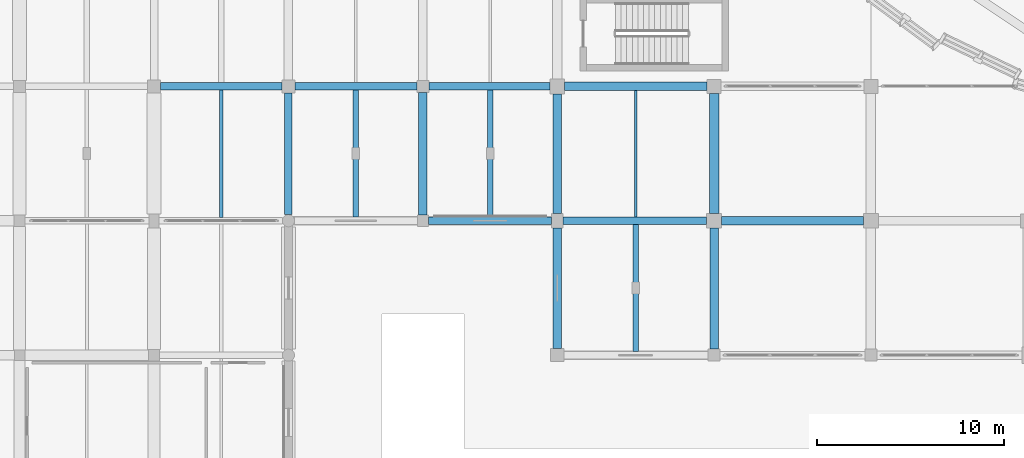
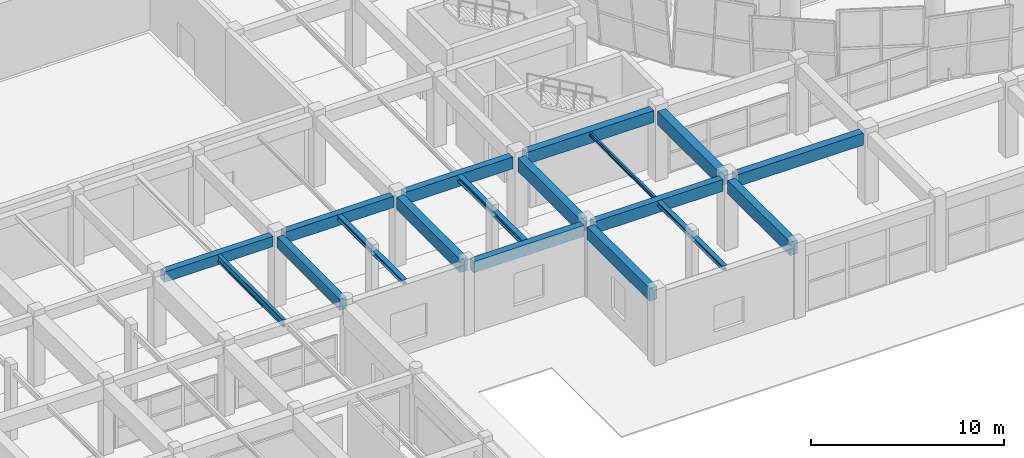
# One storey, part 10 of 72: 18 beams.
"""IFC4 building model written with IfcOpenShell, lengths in metres."""

from ifc_helpers import new_model, si_unit, direction, frame, origin, origin_2d, place, context, subcontext, project, spatial, rectangle, i_section, extrude, material, material_profile, profile_set, type_object, element, save


model = new_model("IFC4")

# Units and contexts
model_context = context("Model", 3, precision=1e-05, world=origin(), true_north=direction((0.0, 1.0)))
body_context = subcontext(model_context, "Body", "Model", "MODEL_VIEW")
ifc_project = project(units=[si_unit("LENGTHUNIT", "METRE"), si_unit("AREAUNIT", "SQUARE_METRE"), si_unit("VOLUMEUNIT", "CUBIC_METRE"), si_unit("PLANEANGLEUNIT", "RADIAN"), si_unit("MASSUNIT", "GRAM", prefix="KILO")], contexts=[model_context])

# Site, building, storey
site_placement = place(None, origin())
site = spatial("IfcSite", under=ifc_project, at=site_placement, CompositionType="ELEMENT")
building_placement = place(site_placement, origin())
building = spatial("IfcBuilding", under=site, at=building_placement, Name="Korsvaeld Concert Hall", CompositionType="ELEMENT")
storey_placement = place(building_placement, origin())
storey = spatial("IfcBuildingStorey", under=building, at=storey_placement, Name="L00", CompositionType="ELEMENT", Elevation=0.0)

# Beams
ifc_material_1 = material(Name="Concrete C35/45", Category="concrete")
ifc_material_profile_1 = material_profile(ifc_material_1, rectangle(XDim=0.39990234375, YDim=0.64990234375, at=origin_2d()), Name="RC 400x650")
ifc_profile_set_1 = profile_set([ifc_material_profile_1], Name="Concrete C35/45")
beam_type_1 = type_object("IfcBeamType", Name="BM-RC-400x650", PredefinedType="T_BEAM", material=ifc_profile_set_1)
beam_1_placement = place(storey_placement, frame((29.14990234375, 43.199951171875, 4.114990234375), z_axis=(1.0, 0.0, 0.0), x_axis=(0.0, 1.0, 0.0)))
element("IfcBeam", 1, at=beam_1_placement, inside=storey, type_object=beam_type_1, Name="Primary girder 5-6/G L00", PredefinedType="T_BEAM", context=body_context, shape_type="SweptSolid", body=[
    extrude(rectangle(XDim=0.39990234375, YDim=0.64990234375, at=origin_2d()), origin(), (0.0, 0.0, 1.0), 6.5),
])
ifc_material_profile_2 = material_profile(ifc_material_1, rectangle(XDim=0.39990234375, YDim=0.699951171875, at=origin_2d()), Name="RC 400x700")
ifc_profile_set_2 = profile_set([ifc_material_profile_2], Name="Concrete C35/45")
beam_type_2 = type_object("IfcBeamType", Name="BM-RC-400x700", PredefinedType="T_BEAM", material=ifc_profile_set_2)
beam_2_placement = place(storey_placement, frame((43.5, 36.0, 4.090087890625), z_axis=(1.0, 0.0, 0.0), x_axis=(0.0, 1.0, 0.0)))
element("IfcBeam", 2, at=beam_2_placement, inside=storey, type_object=beam_type_2, Name="Primary girder 7-8/F L00", PredefinedType="T_BEAM", context=body_context, shape_type="SweptSolid", body=[
    extrude(rectangle(XDim=0.39990234375, YDim=0.699951171875, at=origin_2d()), origin(), (0.0, 0.0, 1.0), 6.60009765625),
])
beam_3_placement = place(storey_placement, frame((36.35009765625, 43.199951171875, 4.090087890625), z_axis=(1.0, 0.0, 0.0), x_axis=(0.0, 1.0, 0.0)))
element("IfcBeam", 3, at=beam_3_placement, inside=storey, type_object=beam_type_2, Name="Primary girder 6-7/G L00", PredefinedType="T_BEAM", context=body_context, shape_type="SweptSolid", body=[
    extrude(rectangle(XDim=0.39990234375, YDim=0.699951171875, at=origin_2d()), origin(), (0.0, 0.0, 1.0), 6.52490234375),
])
beam_4_placement = place(storey_placement, frame((36.0, 36.324951171875, 4.090087890625), z_axis=(0.0, 1.0, 0.0), x_axis=(-1.0, 0.0, 0.0)))
element("IfcBeam", 4, at=beam_4_placement, inside=storey, type_object=beam_type_2, Name="Primary girder 6/F-G L00", PredefinedType="T_BEAM", context=body_context, shape_type="SweptSolid", body=[
    extrude(rectangle(XDim=0.39990234375, YDim=0.699951171875, at=origin_2d()), origin(), (0.0, 0.0, 1.0), 6.525146484375),
])
ifc_material_profile_3 = material_profile(ifc_material_1, rectangle(XDim=0.39990234375, YDim=0.75, at=origin_2d()), Name="RC 400x750")
ifc_profile_set_3 = profile_set([ifc_material_profile_3], Name="Concrete C35/45")
beam_type_3 = type_object("IfcBeamType", Name="BM-RC-400x750", PredefinedType="T_BEAM", material=ifc_profile_set_3)
beam_5_placement = place(storey_placement, frame((50.699951171875, 36.0, 4.06494140625), z_axis=(1.0, 0.0, 0.0), x_axis=(0.0, 1.0, 0.0)))
element("IfcBeam", 5, at=beam_5_placement, inside=storey, type_object=beam_type_3, Name="Primary girder 8-9/F L00", PredefinedType="T_BEAM", context=body_context, shape_type="SweptSolid", body=[
    extrude(rectangle(XDim=0.39990234375, YDim=0.75, at=origin_2d()), origin(), (0.0, 0.0, 1.0), 7.699951171875),
])
beam_6_placement = place(storey_placement, frame((43.52490234375, 43.199951171875, 4.06494140625), z_axis=(1.0, 0.0, 0.0), x_axis=(0.0, 1.0, 0.0)))
element("IfcBeam", 6, at=beam_6_placement, inside=storey, type_object=beam_type_3, Name="Primary girder 7-8/G L00", PredefinedType="T_BEAM", context=body_context, shape_type="SweptSolid", body=[
    extrude(rectangle(XDim=0.39990234375, YDim=0.75, at=origin_2d()), origin(), (0.0, 0.0, 1.0), 6.47509765625),
])
ifc_material_profile_4 = material_profile(ifc_material_1, rectangle(XDim=0.449951171875, YDim=0.75, at=origin_2d()), Name="RC 450x750")
ifc_profile_set_4 = profile_set([ifc_material_profile_4], Name="Concrete C35/45")
beam_type_4 = type_object("IfcBeamType", Name="BM-RC-450x750", PredefinedType="T_BEAM", material=ifc_profile_set_4)
beam_7_placement = place(storey_placement, frame((59.199951171875, 36.0, 4.06494140625), z_axis=(1.0, 0.0, 0.0), x_axis=(0.0, 1.0, 0.0)))
element("IfcBeam", 7, at=beam_7_placement, inside=storey, type_object=beam_type_4, Name="Primary girder 9-10/F L00", PredefinedType="T_BEAM", context=body_context, shape_type="SweptSolid", body=[
    extrude(rectangle(XDim=0.449951171875, YDim=0.75, at=origin_2d()), origin(), (0.0, 0.0, 1.0), 7.60009765625),
])
beam_8_placement = place(storey_placement, frame((50.800048828125, 43.199951171875, 4.06494140625), z_axis=(1.0, 0.0, 0.0), x_axis=(0.0, 1.0, 0.0)))
element("IfcBeam", 8, at=beam_8_placement, inside=storey, type_object=beam_type_4, Name="Primary girder 8-9/G L00", PredefinedType="T_BEAM", context=body_context, shape_type="SweptSolid", body=[
    extrude(rectangle(XDim=0.449951171875, YDim=0.75, at=origin_2d()), origin(), (0.0, 0.0, 1.0), 7.625),
])
ifc_material_profile_5 = material_profile(ifc_material_1, rectangle(XDim=0.449951171875, YDim=0.800048828125, at=origin_2d()), Name="RC 450x800")
ifc_profile_set_5 = profile_set([ifc_material_profile_5], Name="Concrete C35/45")
beam_type_5 = type_object("IfcBeamType", Name="BM-RC-450x800", PredefinedType="T_BEAM", material=ifc_profile_set_5)
beam_9_placement = place(storey_placement, frame((43.199951171875, 36.300048828125, 4.0400390625), z_axis=(0.0, 1.0, 0.0), x_axis=(-1.0, 0.0, 0.0)))
element("IfcBeam", 9, at=beam_9_placement, inside=storey, type_object=beam_type_5, Name="Primary girder 7/F-G L00", PredefinedType="T_BEAM", context=body_context, shape_type="SweptSolid", body=[
    extrude(rectangle(XDim=0.449951171875, YDim=0.800048828125, at=origin_2d()), origin(), (0.0, 0.0, 1.0), 6.574951171875),
])
beam_10_placement = place(storey_placement, frame((50.39990234375, 29.14990234375, 4.0400390625), z_axis=(0.0, 1.0, 0.0), x_axis=(-1.0, 0.0, 0.0)))
element("IfcBeam", 10, at=beam_10_placement, inside=storey, type_object=beam_type_5, Name="Primary girder 8/E-F L00", PredefinedType="T_BEAM", context=body_context, shape_type="SweptSolid", body=[
    extrude(rectangle(XDim=0.449951171875, YDim=0.800048828125, at=origin_2d()), origin(), (0.0, 0.0, 1.0), 6.4501953125),
])
ifc_material_2 = material(Name="Concrete C40/50", Category="concrete")
ifc_material_profile_6 = material_profile(ifc_material_2, rectangle(XDim=0.449951171875, YDim=0.85009765625, at=origin_2d()), Name="RC 450x850")
ifc_profile_set_6 = profile_set([ifc_material_profile_6], Name="Concrete C40/50")
beam_type_6 = type_object("IfcBeamType", Name="BM-RC-450x850", PredefinedType="T_BEAM", material=ifc_profile_set_6)
beam_11_placement = place(storey_placement, frame((50.39990234375, 36.39990234375, 4.014892578125), z_axis=(0.0, 1.0, 0.0), x_axis=(-1.0, 0.0, 0.0)))
element("IfcBeam", 11, at=beam_11_placement, inside=storey, type_object=beam_type_6, Name="Primary girder 8/F-G L00", PredefinedType="T_BEAM", context=body_context, shape_type="SweptSolid", body=[
    extrude(rectangle(XDim=0.449951171875, YDim=0.85009765625, at=origin_2d()), origin(), (0.0, 0.0, 1.0), 6.400146484375),
])
beam_12_placement = place(storey_placement, frame((58.800048828125, 29.125, 4.014892578125), z_axis=(0.0, 1.0, 0.0), x_axis=(-1.0, 0.0, 0.0)))
element("IfcBeam", 12, at=beam_12_placement, inside=storey, type_object=beam_type_6, Name="Primary girder 9/E-F L00", PredefinedType="T_BEAM", context=body_context, shape_type="SweptSolid", body=[
    extrude(rectangle(XDim=0.449951171875, YDim=0.85009765625, at=origin_2d()), origin(), (0.0, 0.0, 1.0), 6.47509765625),
])
ifc_material_profile_7 = material_profile(ifc_material_2, rectangle(XDim=0.5, YDim=0.85009765625, at=origin_2d()), Name="RC 500x850")
ifc_profile_set_7 = profile_set([ifc_material_profile_7], Name="Concrete C40/50")
beam_type_7 = type_object("IfcBeamType", Name="BM-RC-500x850", PredefinedType="T_BEAM", material=ifc_profile_set_7)
beam_13_placement = place(storey_placement, frame((58.800048828125, 36.39990234375, 4.014892578125), z_axis=(0.0, 1.0, 0.0), x_axis=(-1.0, 0.0, 0.0)))
element("IfcBeam", 13, at=beam_13_placement, inside=storey, type_object=beam_type_7, Name="Primary girder 9/F-G L00", PredefinedType="T_BEAM", context=body_context, shape_type="SweptSolid", body=[
    extrude(rectangle(XDim=0.5, YDim=0.85009765625, at=origin_2d()), origin(), (0.0, 0.0, 1.0), 6.425048828125),
])
ifc_material_3 = material(Name="Steel S355J2", Category="steel")
ifc_material_profile_8 = material_profile(ifc_material_3, i_section(OverallWidth=0.280029296875, OverallDepth=0.27001953125, WebThickness=0.008056640625, FlangeThickness=0.012939453125, FilletRadius=0.02392578125, at=origin_2d()), Name="HEA 280")
ifc_profile_set_8 = profile_set([ifc_material_profile_8], Name="Steel S355J2")
beam_type_8 = type_object("IfcBeamType", Name="BM-STL-HEA280", PredefinedType="BEAM", material=ifc_profile_set_8)
for number, where, z_axis, x_axis, name in (
    (14, (39.60009765625, 36.199951171875, 4.304931640625), (0.0, 1.0, 0.0), (-1.0, 0.0, 0.0), "Secondary steel floor beam 6-7/F L00"),
    (15, (54.60009765625, 29.0, 4.304931640625), (0.0, 1.0, 0.0), (-1.0, 0.0, 0.0), "Secondary steel floor beam 8-9/E L00"),
):
    element("IfcBeam", number, at=place(storey_placement, frame(where, z_axis=z_axis, x_axis=x_axis)), inside=storey, type_object=beam_type_8, Name=name, PredefinedType="BEAM", context=body_context, shape_type="SweptSolid", body=[
        extrude(i_section(OverallWidth=0.280029296875, OverallDepth=0.27001953125, WebThickness=0.008056640625, FlangeThickness=0.012939453125, FilletRadius=0.02392578125, at=origin_2d()), origin(), (0.0, 0.0, 1.0), 6.800048828125),
    ])
ifc_material_profile_9 = material_profile(ifc_material_3, i_section(OverallWidth=0.300048828125, OverallDepth=0.35009765625, WebThickness=0.010009765625, FlangeThickness=0.017578125, FilletRadius=0.027099609375, at=origin_2d()), Name="HEA 360")
ifc_profile_set_9 = profile_set([ifc_material_profile_9], Name="Steel S355J2")
beam_type_9 = type_object("IfcBeamType", Name="BM-STL-HEA360", PredefinedType="BEAM", material=ifc_profile_set_9)
beam_14_placement = place(storey_placement, frame((46.800048828125, 36.199951171875, 4.264892578125), z_axis=(0.0, 1.0, 0.0), x_axis=(-1.0, 0.0, 0.0)))
element("IfcBeam", 16, at=beam_14_placement, inside=storey, type_object=beam_type_9, Name="Secondary steel floor beam 7-8/F L00", PredefinedType="BEAM", context=body_context, shape_type="SweptSolid", body=[
    extrude(i_section(OverallWidth=0.300048828125, OverallDepth=0.35009765625, WebThickness=0.010009765625, FlangeThickness=0.017578125, FilletRadius=0.027099609375, at=origin_2d()), origin(), (0.0, 0.0, 1.0), 6.800048828125),
])
ifc_material_profile_10 = material_profile(ifc_material_3, i_section(OverallWidth=0.1201171875, OverallDepth=0.239990234375, WebThickness=0.006103515625, FlangeThickness=0.009765625, FilletRadius=0.014892578125, at=origin_2d()), Name="IPE 240")
ifc_profile_set_10 = profile_set([ifc_material_profile_10], Name="Steel S355J2")
beam_type_10 = type_object("IfcBeamType", Name="BM-STL-IPE240", PredefinedType="JOIST", material=ifc_profile_set_10)
beam_15_placement = place(storey_placement, frame((54.60009765625, 36.199951171875, 4.320068359375), z_axis=(0.0, 1.0, 0.0), x_axis=(-1.0, 0.0, 0.0)))
element("IfcBeam", 17, at=beam_15_placement, inside=storey, type_object=beam_type_10, Name="Secondary steel floor beam 8-9/F L00", PredefinedType="JOIST", context=body_context, shape_type="SweptSolid", body=[
    extrude(i_section(OverallWidth=0.1201171875, OverallDepth=0.239990234375, WebThickness=0.006103515625, FlangeThickness=0.009765625, FilletRadius=0.014892578125, at=origin_2d()), origin(), (0.0, 0.0, 1.0), 6.775146484375),
])
ifc_material_profile_11 = material_profile(ifc_material_3, i_section(OverallWidth=0.18994140625, OverallDepth=0.449951171875, WebThickness=0.009521484375, FlangeThickness=0.0146484375, FilletRadius=0.02099609375, at=origin_2d()), Name="IPE 450")
ifc_profile_set_11 = profile_set([ifc_material_profile_11], Name="Steel S355J2")
beam_type_11 = type_object("IfcBeamType", Name="BM-STL-IPE450", PredefinedType="BEAM", material=ifc_profile_set_11)
beam_16_placement = place(storey_placement, frame((32.39990234375, 36.175048828125, 4.215087890625), z_axis=(0.0, 1.0, 0.0), x_axis=(-1.0, 0.0, 0.0)))
element("IfcBeam", 18, at=beam_16_placement, inside=storey, type_object=beam_type_11, Name="Secondary steel floor beam 5-6/F L00", PredefinedType="BEAM", context=body_context, shape_type="SweptSolid", body=[
    extrude(i_section(OverallWidth=0.18994140625, OverallDepth=0.449951171875, WebThickness=0.009521484375, FlangeThickness=0.0146484375, FilletRadius=0.02099609375, at=origin_2d()), origin(), (0.0, 0.0, 1.0), 6.824951171875),
])

save(model, "model.ifc")
